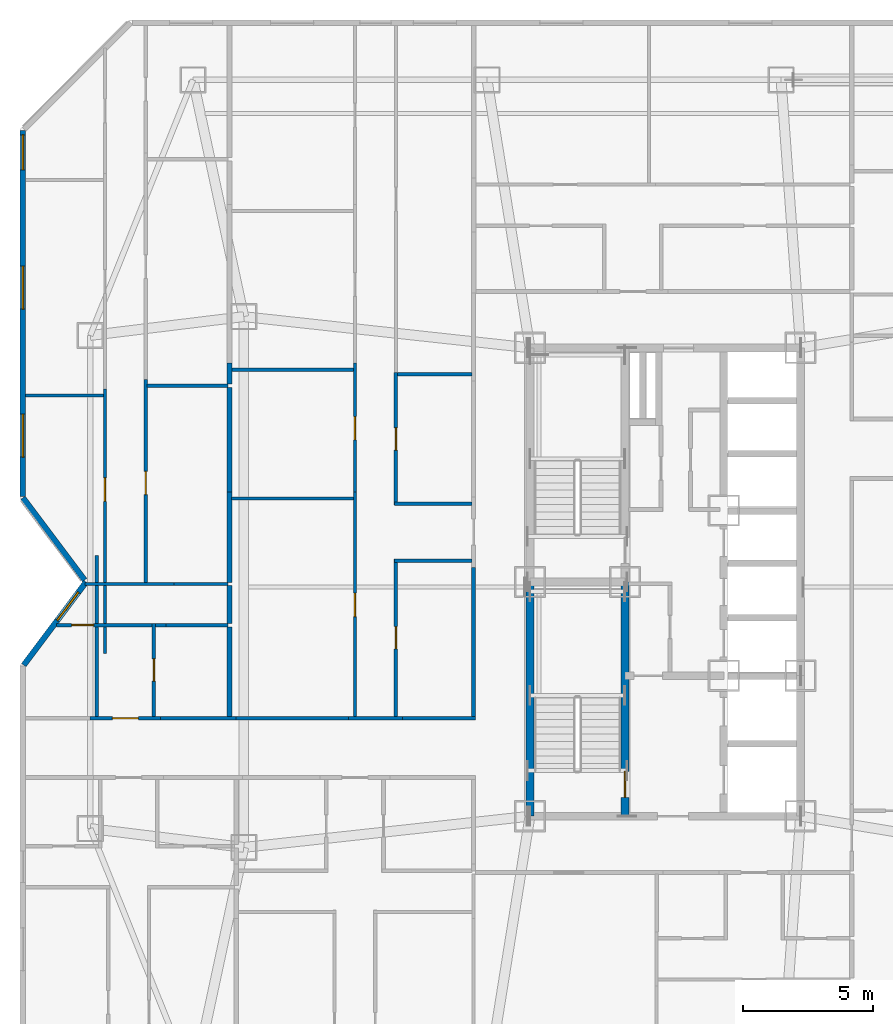
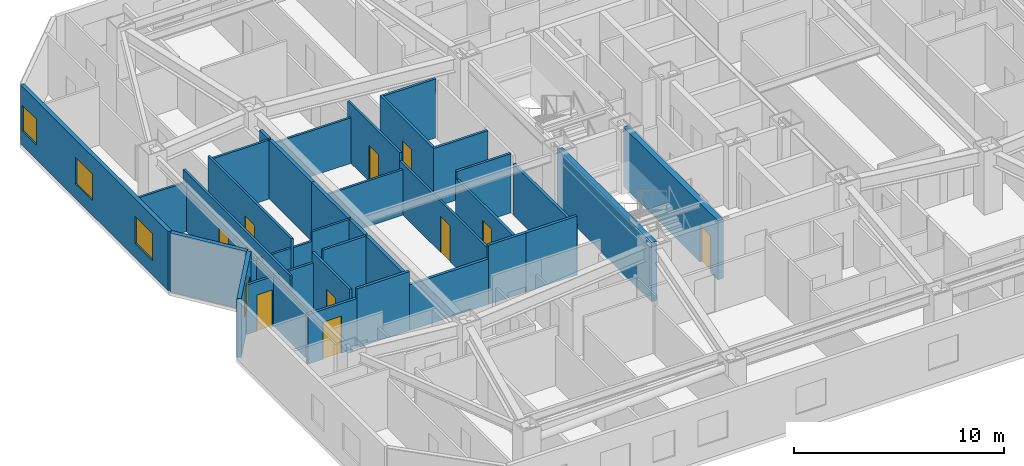
# One storey, part 7 of 13: 35 walls, 10 doors, 4 windows, 14 openings.
"""IFC4 building model written with IfcOpenShell, lengths in metres."""

from ifc_helpers import new_model, si_unit, direction, frame, frame_2d, origin, place, context, subcontext, project, spatial, rectangle, extrude, material, layer, layer_set, type_object, element, fill, save


model = new_model("IFC4")

# Units and contexts
model_context = context("Model", 3, precision=1e-05, world=origin(), true_north=direction((0.0, 1.0)))
body_context = subcontext(model_context, "Body", "Model", "MODEL_VIEW")
ifc_project = project(units=[si_unit("LENGTHUNIT", "METRE"), si_unit("AREAUNIT", "SQUARE_METRE"), si_unit("VOLUMEUNIT", "CUBIC_METRE"), si_unit("PLANEANGLEUNIT", "RADIAN"), si_unit("MASSUNIT", "GRAM", prefix="KILO")], contexts=[model_context])

# Site, building, storey
site_placement = place(None, origin())
site = spatial("IfcSite", under=ifc_project, at=site_placement, CompositionType="ELEMENT")
building_placement = place(site_placement, origin())
building = spatial("IfcBuilding", under=site, at=building_placement, Name="Khamvora Tower", CompositionType="ELEMENT")
storey_placement = place(building_placement, frame((0.0, 0.0, 105.550048828125)))
storey = spatial("IfcBuildingStorey", under=building, at=storey_placement, Name="L26", CompositionType="ELEMENT", Elevation=105.550048828125)

# Wall
ifc_material_1 = material(Name="Concrete C50/60", Category="concrete")
ifc_layer_1 = layer(ifc_material_1, 0.300048828125)
ifc_layer_set_1 = layer_set([ifc_layer_1], Name="Concrete C50/60")
wall_type_1 = type_object("IfcWallType", Name="WAL-CORE-300", PredefinedType="SHEAR", material=ifc_layer_set_1)
wall_1_placement = place(storey_placement, frame((29.0, 19.0, 0.0), z_axis=(0.0, 0.0, 1.0), x_axis=(0.0, 1.0, 0.0)))
element("IfcWall", 1, at=wall_1_placement, inside=storey, type_object=wall_type_1, Name="L26 central core west south wall", PredefinedType="SHEAR", context=body_context, shape_type="SweptSolid", body=[
    extrude(rectangle(XDim=9.0, YDim=0.300048828125, at=frame_2d((4.5, 0.0))), origin(), (0.0, 0.0, 1.0), 3.429931640625),
])

# Wall, opening, door
wall_2_placement = place(storey_placement, frame((32.64990234375, 19.0, 0.0), z_axis=(0.0, 0.0, 1.0), x_axis=(0.0, 1.0, 0.0)))
wall_2 = element("IfcWall", 2, at=wall_2_placement, inside=storey, type_object=wall_type_1, Name="L26 central core stair south spine wall", PredefinedType="SHEAR", context=body_context, shape_type="SweptSolid", body=[
    extrude(rectangle(XDim=9.0, YDim=0.300048828125, at=frame_2d((4.5, 0.0))), origin(), (0.0, 0.0, 1.0), 3.429931640625),
])
opening_1_placement = place(wall_2_placement, frame((0.719970703125, 0.0, 0.0)))
opening_1 = element("IfcOpeningElement", 3, at=opening_1_placement, cuts=wall_2, Name="Opening D-ST1", PredefinedType="OPENING", context=body_context, shape_type="SweptSolid", body=[
    extrude(rectangle(XDim=1.0, YDim=2.14990234375, at=frame_2d((0.5, 1.074951171875))), frame((0.0, 0.159912109375, 0.0), z_axis=(0.0, -1.0, 0.0), x_axis=(1.0, 0.0, 0.0)), (0.0, 0.0, 1.0), 0.320068359375),
])
ifc_material_2 = material(Name="Powder-Coated Steel and Hardwood Leaf", Category="steel")
door_type_1 = type_object("IfcDoorType", Name="DOR-STAIR-1000", OperationType="NOTDEFINED", PredefinedType="DOOR", material=ifc_material_2)
door_1_placement = place(opening_1_placement, origin())
door_1 = element("IfcDoor", 4, at=door_1_placement, inside=storey, type_object=door_type_1, Name="L26 exit stair ST-01 fire door", OperationType="SINGLE_SWING_RIGHT", OverallHeight=2.14990234375, OverallWidth=1.0, PredefinedType="DOOR", context=body_context, shape_type="SweptSolid", body=[
    extrude(rectangle(XDim=1.0, YDim=2.14990234375, at=frame_2d((0.5, 1.074951171875))), frame((0.0, 0.02490234375, 0.0), z_axis=(0.0, -1.0, 0.0), x_axis=(1.0, 0.0, 0.0)), (0.0, 0.0, 1.0), 0.050048828125),
])
fill(opening_1, door_1)

ifc_material_3 = material(Name="Fire-Rated Drywall and Steel Stud", Category="steel")
ifc_layer_2 = layer(ifc_material_3, 0.14990234375)
ifc_layer_set_2 = layer_set([ifc_layer_2], Name="Fire-Rated Drywall and Steel Stud")
wall_type_2 = type_object("IfcWallType", Name="WAL-CORR-150", PredefinedType="STANDARD", material=ifc_layer_set_2)
wall_3_placement = place(storey_placement, frame((12.097900390625, 22.764892578125, 0.0), z_axis=(0.0, 0.0, 1.0), x_axis=(1.0, 0.0, 0.0)))
wall_3 = element("IfcWall", 5, at=wall_3_placement, inside=storey, type_object=wall_type_2, Name="L26 interior partition wall 017", PredefinedType="STANDARD", context=body_context, shape_type="SweptSolid", body=[
    extrude(rectangle(XDim=2.697998046875, YDim=0.14990234375, at=frame_2d((1.34912109375, 0.0))), origin(), (0.0, 0.0, 1.0), 2.8759765625),
])
opening_2_placement = place(wall_3_placement, frame((0.84912109375, 0.0, 0.0)))
opening_2 = element("IfcOpeningElement", 6, at=opening_2_placement, cuts=wall_3, Name="Opening D-U1", PredefinedType="OPENING", context=body_context, shape_type="SweptSolid", body=[
    extrude(rectangle(XDim=1.0, YDim=2.14990234375, at=frame_2d((0.5, 1.074951171875))), frame((0.0, 0.0849609375, 0.0), z_axis=(0.0, -1.0, 0.0), x_axis=(1.0, 0.0, 0.0)), (0.0, 0.0, 1.0), 0.169921875),
])
door_type_2 = type_object("IfcDoorType", Name="DOR-UNIT-1000", OperationType="NOTDEFINED", PredefinedType="DOOR", material=ifc_material_2)
door_2_placement = place(opening_2_placement, origin())
door_2 = element("IfcDoor", 7, at=door_2_placement, inside=storey, type_object=door_type_2, Name="L26 interior door COR-26WC1H", OperationType="SINGLE_SWING_RIGHT", OverallHeight=2.14990234375, OverallWidth=1.0, PredefinedType="DOOR", context=body_context, shape_type="SweptSolid", body=[
    extrude(rectangle(XDim=1.0, YDim=2.14990234375, at=frame_2d((0.5, 1.074951171875))), frame((0.0, 0.02490234375, 0.0), z_axis=(0.0, -1.0, 0.0), x_axis=(1.0, 0.0, 0.0)), (0.0, 0.0, 1.0), 0.050048828125),
])
fill(opening_2, door_2)

# Walls
wall_4_placement = place(storey_placement, frame((14.7958984375, 22.764892578125, 0.0), z_axis=(0.0, 0.0, 1.0), x_axis=(1.0, 0.0, 0.0)))
element("IfcWall", 8, at=wall_4_placement, inside=storey, type_object=wall_type_2, Name="L26 interior partition wall 019", PredefinedType="STANDARD", context=body_context, shape_type="SweptSolid", body=[
    extrude(rectangle(XDim=2.903076171875, YDim=0.14990234375, at=frame_2d((1.45166015625, 0.0))), origin(), (0.0, 0.0, 1.0), 3.429931640625),
])
wall_5_placement = place(storey_placement, frame((22.02001953125, 22.764892578125, 0.0), z_axis=(0.0, 0.0, 1.0), x_axis=(1.0, 0.0, 0.0)))
element("IfcWall", 9, at=wall_5_placement, inside=storey, type_object=wall_type_2, Name="L26 interior partition wall 022", PredefinedType="STANDARD", context=body_context, shape_type="SweptSolid", body=[
    extrude(rectangle(XDim=2.077880859375, YDim=0.14990234375, at=frame_2d((1.0390625, 0.0))), origin(), (0.0, 0.0, 1.0), 3.429931640625),
])
wall_6_placement = place(storey_placement, frame((26.8349609375, 22.699951171875, 0.0), z_axis=(0.0, 0.0, 1.0), x_axis=(0.0, 1.0, 0.0)))
element("IfcWall", 10, at=wall_6_placement, inside=storey, type_object=wall_type_2, Name="L26 interior partition wall 024", PredefinedType="STANDARD", context=body_context, shape_type="SweptSolid", body=[
    extrude(rectangle(XDim=5.866943359375, YDim=0.14990234375, at=frame_2d((2.93359375, 0.0))), origin(), (0.0, 0.0, 1.0), 2.9609375),
])
wall_7_placement = place(storey_placement, frame((24.097900390625, 22.764892578125, 0.0), z_axis=(0.0, 0.0, 1.0), x_axis=(1.0, 0.0, 0.0)))
element("IfcWall", 11, at=wall_7_placement, inside=storey, type_object=wall_type_2, Name="L26 interior partition wall 025", PredefinedType="STANDARD", context=body_context, shape_type="SweptSolid", body=[
    extrude(rectangle(XDim=2.800048828125, YDim=0.14990234375, at=frame_2d((1.39990234375, 0.0))), origin(), (0.0, 0.0, 1.0), 3.429931640625),
])
wall_8_placement = place(storey_placement, frame((17.698974609375, 22.764892578125, 0.0), z_axis=(0.0, 0.0, 1.0), x_axis=(1.0, 0.0, 0.0)))
element("IfcWall", 12, at=wall_8_placement, inside=storey, type_object=wall_type_2, Name="L26 interior partition wall 026", PredefinedType="STANDARD", context=body_context, shape_type="SweptSolid", body=[
    extrude(rectangle(XDim=4.321044921875, YDim=0.14990234375, at=frame_2d((2.16064453125, 0.0))), origin(), (0.0, 0.0, 1.0), 2.64697265625),
])
ifc_material_4 = material(Name="Acoustic Double-Stud Fire Wall", Category="gypsum")
ifc_layer_3 = layer(ifc_material_4, 0.179931640625)
ifc_layer_set_3 = layer_set([ifc_layer_3], Name="Acoustic Double-Stud Fire Wall")
wall_type_3 = type_object("IfcWallType", Name="WAL-CORR-180", PredefinedType="STANDARD", material=ifc_layer_set_3)
wall_9_placement = place(storey_placement, frame((17.449951171875, 27.860107421875, 0.0), z_axis=(0.0, 0.0, 1.0), x_axis=(0.0, -1.0, 0.0)))
element("IfcWall", 13, at=wall_9_placement, inside=storey, type_object=wall_type_3, Name="L26 interior partition wall 083", PredefinedType="STANDARD", context=body_context, shape_type="SweptSolid", body=[
    extrude(rectangle(XDim=1.4501953125, YDim=0.179931640625, at=frame_2d((0.72509765625, 0.0))), origin(), (0.0, 0.0, 1.0), 3.429931640625),
])
wall_10_placement = place(storey_placement, frame((17.449951171875, 26.280029296875, 0.0), z_axis=(0.0, 0.0, 1.0), x_axis=(0.0, -1.0, 0.0)))
element("IfcWall", 14, at=wall_10_placement, inside=storey, type_object=wall_type_3, Name="L26 interior partition wall 084", PredefinedType="STANDARD", context=body_context, shape_type="SweptSolid", body=[
    extrude(rectangle(XDim=3.447998046875, YDim=0.179931640625, at=frame_2d((1.72412109375, 0.0))), origin(), (0.0, 0.0, 1.0), 3.429931640625),
])
wall_11_placement = place(storey_placement, frame((17.449951171875, 31.4541015625, 0.0), z_axis=(0.0, 0.0, 1.0), x_axis=(0.0, -1.0, 0.0)))
element("IfcWall", 15, at=wall_11_placement, inside=storey, type_object=wall_type_3, Name="L26 interior partition wall 088", PredefinedType="STANDARD", context=body_context, shape_type="SweptSolid", body=[
    extrude(rectangle(XDim=3.464111328125, YDim=0.179931640625, at=frame_2d((1.73193359375, 0.0))), origin(), (0.0, 0.0, 1.0), 3.429931640625),
])
wall_12_placement = place(storey_placement, frame((17.449951171875, 35.47607421875, 0.0), z_axis=(0.0, 0.0, 1.0), x_axis=(0.0, -1.0, 0.0)))
element("IfcWall", 16, at=wall_12_placement, inside=storey, type_object=wall_type_3, Name="L26 interior partition wall 089", PredefinedType="STANDARD", context=body_context, shape_type="SweptSolid", body=[
    extrude(rectangle(XDim=4.02197265625, YDim=0.179931640625, at=frame_2d((2.010986328125, 0.0))), origin(), (0.0, 0.0, 1.0), 3.429931640625),
])
wall_13_placement = place(storey_placement, frame((17.449951171875, 36.408935546875, 0.0), z_axis=(0.0, 0.0, 1.0), x_axis=(0.0, -1.0, 0.0)))
element("IfcWall", 17, at=wall_13_placement, inside=storey, type_object=wall_type_3, Name="L26 interior partition wall 091", PredefinedType="STANDARD", context=body_context, shape_type="SweptSolid", body=[
    extrude(rectangle(XDim=0.802978515625, YDim=0.179931640625, at=frame_2d((0.4013671875, 0.0))), origin(), (0.0, 0.0, 1.0), 3.429931640625),
])

# Wall, opening, window
ifc_material_5 = material(Name="Precast concrete C40/50", Category="concrete")
ifc_layer_4 = layer(ifc_material_5, 0.219970703125)
ifc_layer_set_4 = layer_set([ifc_layer_4], Name="Precast concrete C40/50")
wall_type_4 = type_object("IfcWallType", Name="WAL-EXT-220", PredefinedType="STANDARD", material=ifc_layer_set_4)
wall_14_placement = place(storey_placement, frame((9.5439453125, 24.80810546875, 0.0), z_axis=(0.0, 0.0, 1.0), x_axis=(0.600019580308, 0.799985314394, 0.0)))
wall_14 = element("IfcWall", 18, at=wall_14_placement, inside=storey, type_object=wall_type_4, Name="L26 exterior facade wall 03.1", PredefinedType="STANDARD", context=body_context, shape_type="SweptSolid", body=[
    extrude(rectangle(XDim=3.989990234375, YDim=0.219970703125, at=frame_2d((1.9951171875, 0.0))), origin(), (0.0, 0.0, 1.0), 3.429931640625),
])
opening_3_placement = place(wall_14_placement, frame((2.14697265625, 0.0, 0.85009765625)))
opening_3 = element("IfcOpeningElement", 19, at=opening_3_placement, cuts=wall_14, Name="Opening WN-07", PredefinedType="OPENING", context=body_context, shape_type="SweptSolid", body=[
    extrude(rectangle(XDim=1.35009765625, YDim=1.5, at=frame_2d((0.675048828125, 0.75))), frame((0.0, 0.119873046875, 0.0), z_axis=(0.0, -1.0, 0.0), x_axis=(1.0, 0.0, 0.0)), (0.0, 0.0, 1.0), 0.239990234375),
])
ifc_material_6 = material(Name="Low-E Laminated Double Glazing", Category="glass")
window_type_1 = type_object("IfcWindowType", Name="WIN-VIS-1350x1500", PartitioningType="SINGLE_PANEL", PredefinedType="WINDOW", material=ifc_material_6)
window_1_placement = place(opening_3_placement, origin())
window_1 = element("IfcWindow", 20, at=window_1_placement, inside=storey, type_object=window_type_1, Name="L26 vision window 03.1.01", OverallHeight=1.5, OverallWidth=1.35009765625, PartitioningType="SINGLE_PANEL", PredefinedType="WINDOW", context=body_context, shape_type="SweptSolid", body=[
    extrude(rectangle(XDim=1.35009765625, YDim=1.5, at=frame_2d((0.675048828125, 0.75))), frame((0.0, 0.030029296875, 0.0), z_axis=(0.0, -1.0, 0.0), x_axis=(1.0, 0.0, 0.0)), (0.0, 0.0, 1.0), 0.06005859375),
])
fill(opening_3, window_1)

# Wall
wall_15_placement = place(storey_placement, frame((11.881103515625, 28.076904296875, 0.0), z_axis=(0.0, 0.0, 1.0), x_axis=(-0.600158184825, 0.799881336942, 0.0)))
element("IfcWall", 21, at=wall_15_placement, inside=storey, type_object=wall_type_4, Name="L26 exterior facade wall 04.1", PredefinedType="STANDARD", context=body_context, shape_type="SweptSolid", body=[
    extrude(rectangle(XDim=3.95068359375, YDim=0.219970703125, at=frame_2d((1.975341796875, 0.0))), origin(), (0.0, 0.0, 1.0), 3.429931640625),
])

# Wall, openings, windows
wall_16_placement = place(storey_placement, frame((9.510009765625, 31.29296875, 0.0), z_axis=(0.0, 0.0, 1.0), x_axis=(0.0, 1.0, 0.0)))
wall_16 = element("IfcWall", 22, at=wall_16_placement, inside=storey, type_object=wall_type_4, Name="L26 exterior facade wall 05.1", PredefinedType="STANDARD", context=body_context, shape_type="SweptSolid", body=[
    extrude(rectangle(XDim=14.06103515625, YDim=0.219970703125, at=frame_2d((7.030517578125, 0.0))), origin(), (0.0, 0.0, 1.0), 3.429931640625),
])
opening_4_placement = place(wall_16_placement, frame((1.508056640625, 0.0, 0.85009765625)))
opening_4 = element("IfcOpeningElement", 23, at=opening_4_placement, cuts=wall_16, Name="Opening WN-06", PredefinedType="OPENING", context=body_context, shape_type="SweptSolid", body=[
    extrude(rectangle(XDim=1.64990234375, YDim=1.550048828125, at=frame_2d((0.824951171875, 0.77490234375))), frame((0.0, 0.119873046875, 0.0), z_axis=(0.0, -1.0, 0.0), x_axis=(1.0, 0.0, 0.0)), (0.0, 0.0, 1.0), 0.239990234375),
])
opening_5_placement = place(wall_16_placement, frame((7.195068359375, 0.0, 0.85009765625)))
opening_5 = element("IfcOpeningElement", 24, at=opening_5_placement, cuts=wall_16, Name="Opening WN-06", PredefinedType="OPENING", context=body_context, shape_type="SweptSolid", body=[
    extrude(rectangle(XDim=1.64990234375, YDim=1.550048828125, at=frame_2d((0.824951171875, 0.77490234375))), frame((0.0, 0.119873046875, 0.0), z_axis=(0.0, -1.0, 0.0), x_axis=(1.0, 0.0, 0.0)), (0.0, 0.0, 1.0), 0.239990234375),
])
opening_6_placement = place(wall_16_placement, frame((12.54296875, 0.0, 0.85009765625)))
opening_6 = element("IfcOpeningElement", 25, at=opening_6_placement, cuts=wall_16, Name="Opening WN-07", PredefinedType="OPENING", context=body_context, shape_type="SweptSolid", body=[
    extrude(rectangle(XDim=1.35009765625, YDim=1.5, at=frame_2d((0.675048828125, 0.75))), frame((0.0, 0.119873046875, 0.0), z_axis=(0.0, -1.0, 0.0), x_axis=(1.0, 0.0, 0.0)), (0.0, 0.0, 1.0), 0.239990234375),
])
window_2_placement = place(opening_6_placement, origin())
window_2 = element("IfcWindow", 26, at=window_2_placement, inside=storey, type_object=window_type_1, Name="L26 vision window 05.1.03", OverallHeight=1.5, OverallWidth=1.35009765625, PartitioningType="SINGLE_PANEL", PredefinedType="WINDOW", context=body_context, shape_type="SweptSolid", body=[
    extrude(rectangle(XDim=1.35009765625, YDim=1.5, at=frame_2d((0.675048828125, 0.75))), frame((0.0, 0.030029296875, 0.0), z_axis=(0.0, -1.0, 0.0), x_axis=(1.0, 0.0, 0.0)), (0.0, 0.0, 1.0), 0.06005859375),
])
fill(opening_6, window_2)
window_type_2 = type_object("IfcWindowType", Name="WIN-VIS-1650x1550", PartitioningType="SINGLE_PANEL", PredefinedType="WINDOW", material=ifc_material_6)
window_3_placement = place(opening_4_placement, origin())
window_3 = element("IfcWindow", 27, at=window_3_placement, inside=storey, type_object=window_type_2, Name="L26 vision window 05.1.01", OverallHeight=1.550048828125, OverallWidth=1.64990234375, PartitioningType="SINGLE_PANEL", PredefinedType="WINDOW", context=body_context, shape_type="SweptSolid", body=[
    extrude(rectangle(XDim=1.64990234375, YDim=1.550048828125, at=frame_2d((0.824951171875, 0.77490234375))), frame((0.0, 0.030029296875, 0.0), z_axis=(0.0, -1.0, 0.0), x_axis=(1.0, 0.0, 0.0)), (0.0, 0.0, 1.0), 0.06005859375),
])
fill(opening_4, window_3)
window_4_placement = place(opening_5_placement, origin())
window_4 = element("IfcWindow", 28, at=window_4_placement, inside=storey, type_object=window_type_2, Name="L26 vision window 05.1.02", OverallHeight=1.550048828125, OverallWidth=1.64990234375, PartitioningType="SINGLE_PANEL", PredefinedType="WINDOW", context=body_context, shape_type="SweptSolid", body=[
    extrude(rectangle(XDim=1.64990234375, YDim=1.550048828125, at=frame_2d((0.824951171875, 0.77490234375))), frame((0.0, 0.030029296875, 0.0), z_axis=(0.0, -1.0, 0.0), x_axis=(1.0, 0.0, 0.0)), (0.0, 0.0, 1.0), 0.06005859375),
])
fill(opening_5, window_4)

# Wall
ifc_material_7 = material(Name="Gypsum Plasterboard Partition", Category="gypsum")
ifc_layer_5 = layer(ifc_material_7, 0.1201171875)
ifc_layer_set_5 = layer_set([ifc_layer_5], Name="Gypsum Plasterboard Partition")
wall_type_5 = type_object("IfcWallType", Name="WAL-PART-120", PredefinedType="PARTITIONING", material=ifc_layer_set_5)
wall_17_placement = place(storey_placement, frame((11.89404296875, 27.925048828125, 0.0), z_axis=(0.0, 0.0, 1.0), x_axis=(1.0, 0.0, 0.0)))
element("IfcWall", 29, at=wall_17_placement, inside=storey, type_object=wall_type_5, Name="L26 interior partition wall 075", PredefinedType="PARTITIONING", context=body_context, shape_type="SweptSolid", body=[
    extrude(rectangle(XDim=3.432861328125, YDim=0.1201171875, at=frame_2d((1.71630859375, 0.0))), origin(), (0.0, 0.0, 1.0), 2.8759765625),
])

# Wall, opening, door
wall_18_placement = place(storey_placement, frame((12.662109375, 25.260009765625, 0.0), z_axis=(0.0, 0.0, 1.0), x_axis=(0.0, 1.0, 0.0)))
wall_18 = element("IfcWall", 30, at=wall_18_placement, inside=storey, type_object=wall_type_5, Name="L26 interior partition wall 076", PredefinedType="PARTITIONING", context=body_context, shape_type="SweptSolid", body=[
    extrude(rectangle(XDim=10.162109375, YDim=0.1201171875, at=frame_2d((5.0810546875, 0.0))), origin(), (0.0, 0.0, 1.0), 3.429931640625),
])
opening_7_placement = place(wall_18_placement, frame((5.839111328125, 0.0, 0.0)))
opening_7 = element("IfcOpeningElement", 31, at=opening_7_placement, cuts=wall_18, Name="Opening D-RM1", PredefinedType="OPENING", context=body_context, shape_type="SweptSolid", body=[
    extrude(rectangle(XDim=0.89990234375, YDim=2.10009765625, at=frame_2d((0.449951171875, 1.050048828125))), frame((0.0, 0.070068359375, 0.0), z_axis=(0.0, -1.0, 0.0), x_axis=(1.0, 0.0, 0.0)), (0.0, 0.0, 1.0), 0.14013671875),
])
door_type_3 = type_object("IfcDoorType", Name="DOR-ROOM-900", OperationType="NOTDEFINED", PredefinedType="DOOR", material=ifc_material_2)
door_3_placement = place(opening_7_placement, origin())
door_3 = element("IfcDoor", 32, at=door_3_placement, inside=storey, type_object=door_type_3, Name="L26 interior door 26WC1H-26WC1L", OperationType="SINGLE_SWING_RIGHT", OverallHeight=2.10009765625, OverallWidth=0.89990234375, PredefinedType="DOOR", context=body_context, shape_type="SweptSolid", body=[
    extrude(rectangle(XDim=0.89990234375, YDim=2.10009765625, at=frame_2d((0.449951171875, 1.050048828125))), frame((0.0, 0.02490234375, 0.0), z_axis=(0.0, -1.0, 0.0), x_axis=(1.0, 0.0, 0.0)), (0.0, 0.0, 1.0), 0.050048828125),
])
fill(opening_7, door_3)

# Wall
wall_19_placement = place(storey_placement, frame((15.326904296875, 27.925048828125, 0.0), z_axis=(0.0, 0.0, 1.0), x_axis=(1.0, 0.0, 0.0)))
element("IfcWall", 33, at=wall_19_placement, inside=storey, type_object=wall_type_5, Name="L26 interior partition wall 079", PredefinedType="PARTITIONING", context=body_context, shape_type="SweptSolid", body=[
    extrude(rectangle(XDim=2.05810546875, YDim=0.1201171875, at=frame_2d((1.029052734375, 0.0))), origin(), (0.0, 0.0, 1.0), 3.429931640625),
])

# Wall, opening, door
wall_20_placement = place(storey_placement, frame((14.23193359375, 35.7900390625, 0.0), z_axis=(0.0, 0.0, 1.0), x_axis=(0.0, -1.0, 0.0)))
wall_20 = element("IfcWall", 34, at=wall_20_placement, inside=storey, type_object=wall_type_5, Name="L26 interior partition wall 080", PredefinedType="PARTITIONING", context=body_context, shape_type="SweptSolid", body=[
    extrude(rectangle(XDim=7.929931640625, YDim=0.1201171875, at=frame_2d((3.96484375, 0.0))), origin(), (0.0, 0.0, 1.0), 3.429931640625),
])
opening_8_placement = place(wall_20_placement, frame((3.535888671875, 0.0, 0.0)))
opening_8 = element("IfcOpeningElement", 35, at=opening_8_placement, cuts=wall_20, Name="Opening D-RM1", PredefinedType="OPENING", context=body_context, shape_type="SweptSolid", body=[
    extrude(rectangle(XDim=0.89990234375, YDim=2.10009765625, at=frame_2d((0.449951171875, 1.050048828125))), frame((0.0, 0.070068359375, 0.0), z_axis=(0.0, -1.0, 0.0), x_axis=(1.0, 0.0, 0.0)), (0.0, 0.0, 1.0), 0.14013671875),
])
door_4_placement = place(opening_8_placement, origin())
door_4 = element("IfcDoor", 36, at=door_4_placement, inside=storey, type_object=door_type_3, Name="L26 interior door 26WC1H-26WC1R4", OperationType="SINGLE_SWING_LEFT", OverallHeight=2.10009765625, OverallWidth=0.89990234375, PredefinedType="DOOR", context=body_context, shape_type="SweptSolid", body=[
    extrude(rectangle(XDim=0.89990234375, YDim=2.10009765625, at=frame_2d((0.449951171875, 1.050048828125))), frame((0.0, 0.02490234375, 0.0), z_axis=(0.0, -1.0, 0.0), x_axis=(1.0, 0.0, 0.0)), (0.0, 0.0, 1.0), 0.050048828125),
])
fill(opening_8, door_4)

# Walls
wall_21_placement = place(storey_placement, frame((9.612060546875, 35.173095703125, 0.0), z_axis=(0.0, 0.0, 1.0), x_axis=(1.0, 0.0, 0.0)))
element("IfcWall", 37, at=wall_21_placement, inside=storey, type_object=wall_type_5, Name="L26 interior partition wall 085", PredefinedType="PARTITIONING", context=body_context, shape_type="SweptSolid", body=[
    extrude(rectangle(XDim=2.995849609375, YDim=0.1201171875, at=frame_2d((1.498046875, 0.0))), origin(), (0.0, 0.0, 1.0), 2.8759765625),
])
wall_22_placement = place(storey_placement, frame((14.285888671875, 35.541015625, 0.0), z_axis=(0.0, 0.0, 1.0), x_axis=(1.0, 0.0, 0.0)))
element("IfcWall", 38, at=wall_22_placement, inside=storey, type_object=wall_type_5, Name="L26 interior partition wall 087", PredefinedType="PARTITIONING", context=body_context, shape_type="SweptSolid", body=[
    extrude(rectangle(XDim=3.09912109375, YDim=0.1201171875, at=frame_2d((1.549560546875, 0.0))), origin(), (0.0, 0.0, 1.0), 3.429931640625),
])

# Wall, opening, door
wall_23_placement = place(storey_placement, frame((22.26904296875, 22.83203125, 0.0), z_axis=(0.0, 0.0, 1.0), x_axis=(0.0, 1.0, 0.0)))
wall_23 = element("IfcWall", 39, at=wall_23_placement, inside=storey, type_object=wall_type_5, Name="L26 interior partition wall 104", PredefinedType="PARTITIONING", context=body_context, shape_type="SweptSolid", body=[
    extrude(rectangle(XDim=8.6220703125, YDim=0.1201171875, at=frame_2d((4.31103515625, 0.0))), origin(), (0.0, 0.0, 1.0), 2.9609375),
])
opening_9_placement = place(wall_23_placement, frame((3.840087890625, 0.0, 0.0)))
opening_9 = element("IfcOpeningElement", 40, at=opening_9_placement, cuts=wall_23, Name="Opening D-RM1", PredefinedType="OPENING", context=body_context, shape_type="SweptSolid", body=[
    extrude(rectangle(XDim=0.89990234375, YDim=2.10009765625, at=frame_2d((0.449951171875, 1.050048828125))), frame((0.0, 0.070068359375, 0.0), z_axis=(0.0, -1.0, 0.0), x_axis=(1.0, 0.0, 0.0)), (0.0, 0.0, 1.0), 0.14013671875),
])
door_5_placement = place(opening_9_placement, origin())
door_5 = element("IfcDoor", 41, at=door_5_placement, inside=storey, type_object=door_type_3, Name="L26 interior door 26WC2H-26WC2R1", OperationType="SINGLE_SWING_LEFT", OverallHeight=2.10009765625, OverallWidth=0.89990234375, PredefinedType="DOOR", context=body_context, shape_type="SweptSolid", body=[
    extrude(rectangle(XDim=0.89990234375, YDim=2.10009765625, at=frame_2d((0.449951171875, 1.050048828125))), frame((0.0, 0.02490234375, 0.0), z_axis=(0.0, -1.0, 0.0), x_axis=(1.0, 0.0, 0.0)), (0.0, 0.0, 1.0), 0.050048828125),
])
fill(opening_9, door_5)

wall_24_placement = place(storey_placement, frame((22.26904296875, 31.4541015625, 0.0), z_axis=(0.0, 0.0, 1.0), x_axis=(0.0, 1.0, 0.0)))
wall_24 = element("IfcWall", 42, at=wall_24_placement, inside=storey, type_object=wall_type_5, Name="L26 interior partition wall 105", PredefinedType="PARTITIONING", context=body_context, shape_type="SweptSolid", body=[
    extrude(rectangle(XDim=4.954833984375, YDim=0.1201171875, at=frame_2d((2.4775390625, 0.0))), origin(), (0.0, 0.0, 1.0), 3.429931640625),
])
opening_10_placement = place(wall_24_placement, frame((2.006103515625, 0.0, 0.0)))
opening_10 = element("IfcOpeningElement", 43, at=opening_10_placement, cuts=wall_24, Name="Opening D-RM1", PredefinedType="OPENING", context=body_context, shape_type="SweptSolid", body=[
    extrude(rectangle(XDim=0.89990234375, YDim=2.10009765625, at=frame_2d((0.449951171875, 1.050048828125))), frame((0.0, 0.070068359375, 0.0), z_axis=(0.0, -1.0, 0.0), x_axis=(1.0, 0.0, 0.0)), (0.0, 0.0, 1.0), 0.14013671875),
])
door_6_placement = place(opening_10_placement, origin())
door_6 = element("IfcDoor", 44, at=door_6_placement, inside=storey, type_object=door_type_3, Name="L26 interior door 26WC2H-26WC2R2", OperationType="SINGLE_SWING_RIGHT", OverallHeight=2.10009765625, OverallWidth=0.89990234375, PredefinedType="DOOR", context=body_context, shape_type="SweptSolid", body=[
    extrude(rectangle(XDim=0.89990234375, YDim=2.10009765625, at=frame_2d((0.449951171875, 1.050048828125))), frame((0.0, 0.02490234375, 0.0), z_axis=(0.0, -1.0, 0.0), x_axis=(1.0, 0.0, 0.0)), (0.0, 0.0, 1.0), 0.050048828125),
])
fill(opening_10, door_6)

# Walls
for number, where, z_axis, x_axis, name in (
    (45, (17.531982421875, 31.205078125, 0.0), (0.0, 0.0, 1.0), (1.0, 0.0, 0.0), "L26 interior partition wall 108"),
    (46, (17.531982421875, 36.159912109375, 0.0), (0.0, 0.0, 1.0), (1.0, 0.0, 0.0), "L26 interior partition wall 109"),
):
    element("IfcWall", number, at=place(storey_placement, frame(where, z_axis=z_axis, x_axis=x_axis)), inside=storey, type_object=wall_type_5, Name=name, PredefinedType="PARTITIONING", context=body_context, shape_type="SweptSolid", body=[
        extrude(rectangle(XDim=4.68310546875, YDim=0.1201171875, at=frame_2d((2.341552734375, 0.0))), origin(), (0.0, 0.0, 1.0), 2.64697265625),
    ])
ifc_material_8 = material(Name="Moisture-Resistant Plasterboard Partition", Category="gypsum")
ifc_layer_6 = layer(ifc_material_8, 0.135009765625)
ifc_layer_set_6 = layer_set([ifc_layer_6], Name="Moisture-Resistant Plasterboard Partition")
wall_type_6 = type_object("IfcWallType", Name="WAL-WET-135", PredefinedType="PARTITIONING", material=ifc_layer_set_6)
wall_25_placement = place(storey_placement, frame((12.346923828125, 22.83203125, 0.0), z_axis=(0.0, 0.0, 1.0), x_axis=(0.0, 1.0, 0.0)))
element("IfcWall", 47, at=wall_25_placement, inside=storey, type_object=wall_type_6, Name="L26 interior partition wall 071", PredefinedType="PARTITIONING", context=body_context, shape_type="SweptSolid", body=[
    extrude(rectangle(XDim=6.177978515625, YDim=0.135009765625, at=frame_2d((3.0888671875, 0.0))), origin(), (0.0, 0.0, 1.0), 2.8759765625),
])

# Wall, opening, door
wall_26_placement = place(storey_placement, frame((15.011962890625, 26.344970703125, 0.0), z_axis=(0.0, 0.0, 1.0), x_axis=(-1.0, 0.0, 0.0)))
wall_26 = element("IfcWall", 48, at=wall_26_placement, inside=storey, type_object=wall_type_6, Name="L26 interior partition wall 072", PredefinedType="PARTITIONING", context=body_context, shape_type="SweptSolid", body=[
    extrude(rectangle(XDim=4.203857421875, YDim=0.135009765625, at=frame_2d((2.10205078125, 0.0))), origin(), (0.0, 0.0, 1.0), 2.8759765625),
])
opening_11_placement = place(wall_26_placement, frame((2.778076171875, 0.0, 0.0)))
opening_11 = element("IfcOpeningElement", 49, at=opening_11_placement, cuts=wall_26, Name="Opening D-WC1", PredefinedType="OPENING", context=body_context, shape_type="SweptSolid", body=[
    extrude(rectangle(XDim=0.85009765625, YDim=2.10009765625, at=frame_2d((0.425048828125, 1.050048828125))), frame((0.0, 0.077392578125, 0.0), z_axis=(0.0, -1.0, 0.0), x_axis=(1.0, 0.0, 0.0)), (0.0, 0.0, 1.0), 0.155029296875),
])
door_type_4 = type_object("IfcDoorType", Name="DOR-WET-850", OperationType="NOTDEFINED", PredefinedType="DOOR", material=ifc_material_2)
door_7_placement = place(opening_11_placement, origin())
door_7 = element("IfcDoor", 50, at=door_7_placement, inside=storey, type_object=door_type_4, Name="L26 interior door 26WC1H-26WC1B", OperationType="SINGLE_SWING_RIGHT", OverallHeight=2.10009765625, OverallWidth=0.85009765625, PredefinedType="DOOR", context=body_context, shape_type="SweptSolid", body=[
    extrude(rectangle(XDim=0.85009765625, YDim=2.10009765625, at=frame_2d((0.425048828125, 1.050048828125))), frame((0.0, 0.02490234375, 0.0), z_axis=(0.0, -1.0, 0.0), x_axis=(1.0, 0.0, 0.0)), (0.0, 0.0, 1.0), 0.050048828125),
])
fill(opening_11, door_7)

# Wall
wall_27_placement = place(storey_placement, frame((17.385009765625, 26.344970703125, 0.0), z_axis=(0.0, 0.0, 1.0), x_axis=(-1.0, 0.0, 0.0)))
element("IfcWall", 51, at=wall_27_placement, inside=storey, type_object=wall_type_6, Name="L26 interior partition wall 073", PredefinedType="PARTITIONING", context=body_context, shape_type="SweptSolid", body=[
    extrude(rectangle(XDim=2.373046875, YDim=0.135009765625, at=frame_2d((1.1865234375, 0.0))), origin(), (0.0, 0.0, 1.0), 3.429931640625),
])

# Wall, opening, door
wall_28_placement = place(storey_placement, frame((14.547119140625, 26.409912109375, 0.0), z_axis=(0.0, 0.0, 1.0), x_axis=(0.0, -1.0, 0.0)))
wall_28 = element("IfcWall", 52, at=wall_28_placement, inside=storey, type_object=wall_type_6, Name="L26 interior partition wall 074", PredefinedType="PARTITIONING", context=body_context, shape_type="SweptSolid", body=[
    extrude(rectangle(XDim=3.577880859375, YDim=0.135009765625, at=frame_2d((1.7890625, 0.0))), origin(), (0.0, 0.0, 1.0), 3.429931640625),
])
opening_12_placement = place(wall_28_placement, frame((1.364013671875, 0.0, 0.0)))
opening_12 = element("IfcOpeningElement", 53, at=opening_12_placement, cuts=wall_28, Name="Opening D-RM2", PredefinedType="OPENING", context=body_context, shape_type="SweptSolid", body=[
    extrude(rectangle(XDim=0.85009765625, YDim=2.10009765625, at=frame_2d((0.425048828125, 1.050048828125))), frame((0.0, 0.077392578125, 0.0), z_axis=(0.0, -1.0, 0.0), x_axis=(1.0, 0.0, 0.0)), (0.0, 0.0, 1.0), 0.155029296875),
])
door_type_5 = type_object("IfcDoorType", Name="DOR-ROOM-850", OperationType="NOTDEFINED", PredefinedType="DOOR", material=ifc_material_2)
door_8_placement = place(opening_12_placement, origin())
door_8 = element("IfcDoor", 54, at=door_8_placement, inside=storey, type_object=door_type_5, Name="L26 interior door 26WC1H-26WC1K", OperationType="SINGLE_SWING_LEFT", OverallHeight=2.10009765625, OverallWidth=0.85009765625, PredefinedType="DOOR", context=body_context, shape_type="SweptSolid", body=[
    extrude(rectangle(XDim=0.85009765625, YDim=2.10009765625, at=frame_2d((0.425048828125, 1.050048828125))), frame((0.0, 0.02490234375, 0.0), z_axis=(0.0, -1.0, 0.0), x_axis=(1.0, 0.0, 0.0)), (0.0, 0.0, 1.0), 0.050048828125),
])
fill(opening_12, door_8)

# Wall
wall_29_placement = place(storey_placement, frame((26.77001953125, 35.98095703125, 0.0), z_axis=(0.0, 0.0, 1.0), x_axis=(-1.0, 0.0, 0.0)))
element("IfcWall", 55, at=wall_29_placement, inside=storey, type_object=wall_type_6, Name="L26 interior partition wall 096", PredefinedType="PARTITIONING", context=body_context, shape_type="SweptSolid", body=[
    extrude(rectangle(XDim=2.85595703125, YDim=0.135009765625, at=frame_2d((1.427978515625, 0.0))), origin(), (0.0, 0.0, 1.0), 3.429931640625),
])

# Wall, opening, door
wall_30_placement = place(storey_placement, frame((23.84912109375, 36.0458984375, 0.0), z_axis=(0.0, 0.0, 1.0), x_axis=(0.0, -1.0, 0.0)))
wall_30 = element("IfcWall", 56, at=wall_30_placement, inside=storey, type_object=wall_type_6, Name="L26 interior partition wall 100", PredefinedType="PARTITIONING", context=body_context, shape_type="SweptSolid", body=[
    extrude(rectangle(XDim=5.094970703125, YDim=0.135009765625, at=frame_2d((2.54736328125, 0.0))), origin(), (0.0, 0.0, 1.0), 3.429931640625),
])
opening_13_placement = place(wall_30_placement, frame((2.123046875, 0.0, 0.0)))
opening_13 = element("IfcOpeningElement", 57, at=opening_13_placement, cuts=wall_30, Name="Opening D-WC1", PredefinedType="OPENING", context=body_context, shape_type="SweptSolid", body=[
    extrude(rectangle(XDim=0.85009765625, YDim=2.10009765625, at=frame_2d((0.425048828125, 1.050048828125))), frame((0.0, 0.077392578125, 0.0), z_axis=(0.0, -1.0, 0.0), x_axis=(1.0, 0.0, 0.0)), (0.0, 0.0, 1.0), 0.155029296875),
])
door_9_placement = place(opening_13_placement, origin())
door_9 = element("IfcDoor", 58, at=door_9_placement, inside=storey, type_object=door_type_4, Name="L26 interior door 26WC2H-26WC2B", OperationType="SINGLE_SWING_LEFT", OverallHeight=2.10009765625, OverallWidth=0.85009765625, PredefinedType="DOOR", context=body_context, shape_type="SweptSolid", body=[
    extrude(rectangle(XDim=0.85009765625, YDim=2.10009765625, at=frame_2d((0.425048828125, 1.050048828125))), frame((0.0, 0.02490234375, 0.0), z_axis=(0.0, -1.0, 0.0), x_axis=(1.0, 0.0, 0.0)), (0.0, 0.0, 1.0), 0.050048828125),
])
fill(opening_13, door_9)

# Walls
for number, where, z_axis, x_axis, name in (
    (59, (23.783935546875, 31.01611328125, 0.0), (0.0, 0.0, 1.0), (1.0, 0.0, 0.0), "L26 interior partition wall 101"),
    (60, (26.77001953125, 28.81591796875, 0.0), (0.0, 0.0, 1.0), (-1.0, 0.0, 0.0), "L26 interior partition wall 102"),
):
    element("IfcWall", number, at=place(storey_placement, frame(where, z_axis=z_axis, x_axis=x_axis)), inside=storey, type_object=wall_type_6, Name=name, PredefinedType="PARTITIONING", context=body_context, shape_type="SweptSolid", body=[
        extrude(rectangle(XDim=2.986083984375, YDim=0.135009765625, at=frame_2d((1.4931640625, 0.0))), origin(), (0.0, 0.0, 1.0), 3.429931640625),
    ])

# Wall, opening, door
wall_31_placement = place(storey_placement, frame((23.84912109375, 28.881103515625, 0.0), z_axis=(0.0, 0.0, 1.0), x_axis=(0.0, -1.0, 0.0)))
wall_31 = element("IfcWall", 61, at=wall_31_placement, inside=storey, type_object=wall_type_6, Name="L26 interior partition wall 103", PredefinedType="PARTITIONING", context=body_context, shape_type="SweptSolid", body=[
    extrude(rectangle(XDim=6.049072265625, YDim=0.135009765625, at=frame_2d((3.0244140625, 0.0))), origin(), (0.0, 0.0, 1.0), 2.9609375),
])
opening_14_placement = place(wall_31_placement, frame((2.60009765625, 0.0, 0.0)))
opening_14 = element("IfcOpeningElement", 62, at=opening_14_placement, cuts=wall_31, Name="Opening D-RM2", PredefinedType="OPENING", context=body_context, shape_type="SweptSolid", body=[
    extrude(rectangle(XDim=0.85009765625, YDim=2.10009765625, at=frame_2d((0.425048828125, 1.050048828125))), frame((0.0, 0.077392578125, 0.0), z_axis=(0.0, -1.0, 0.0), x_axis=(1.0, 0.0, 0.0)), (0.0, 0.0, 1.0), 0.155029296875),
])
door_10_placement = place(opening_14_placement, origin())
door_10 = element("IfcDoor", 63, at=door_10_placement, inside=storey, type_object=door_type_5, Name="L26 interior door 26WC2H-26WC2K", OperationType="SINGLE_SWING_RIGHT", OverallHeight=2.10009765625, OverallWidth=0.85009765625, PredefinedType="DOOR", context=body_context, shape_type="SweptSolid", body=[
    extrude(rectangle(XDim=0.85009765625, YDim=2.10009765625, at=frame_2d((0.425048828125, 1.050048828125))), frame((0.0, 0.02490234375, 0.0), z_axis=(0.0, -1.0, 0.0), x_axis=(1.0, 0.0, 0.0)), (0.0, 0.0, 1.0), 0.050048828125),
])
fill(opening_14, door_10)

save(model, "model.ifc")
